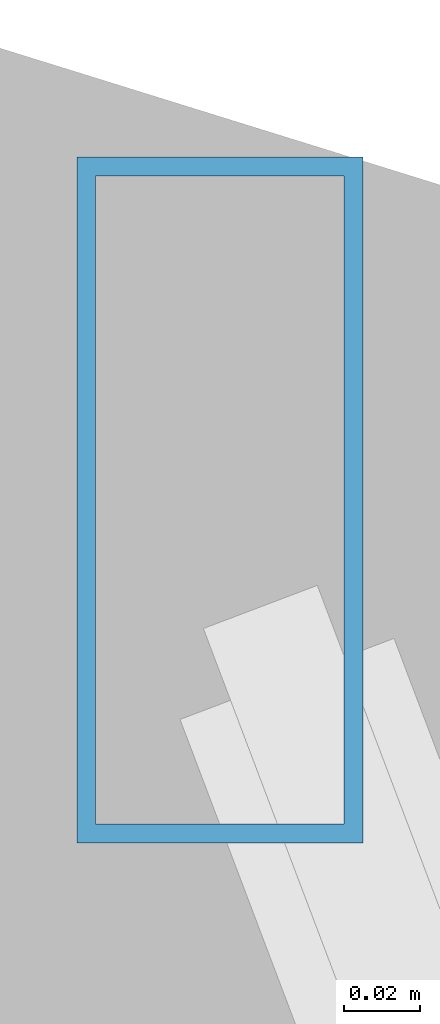
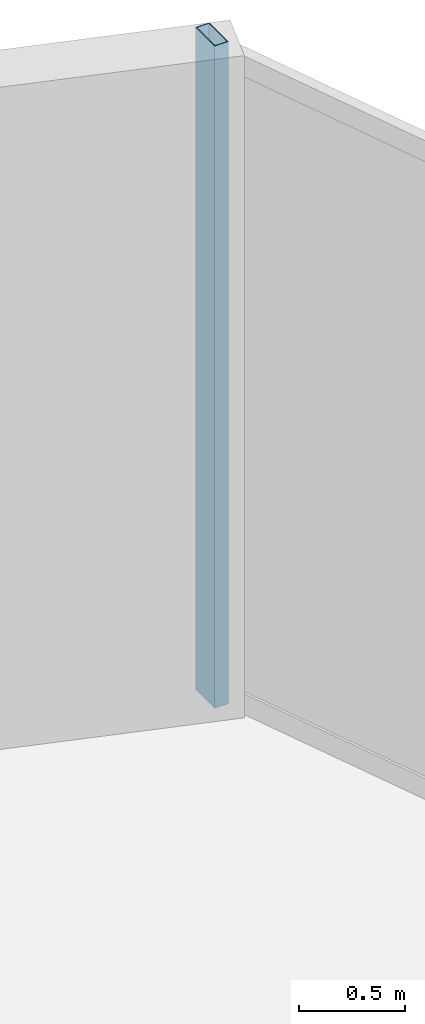
# One storey, part 22 of 30: 1 member, 1 element without a shape of its own.
"""IFC4 building model written with IfcOpenShell, lengths in metres."""

from ifc_helpers import new_model, si_unit, direction, frame, origin, origin_2d, place, context, subcontext, project, spatial, hollow_rectangle, extrude, material, layer, layer_set, material_profile, profile_set, type_object, element, aggregate, save


model = new_model("IFC4")

# Units and contexts
model_context = context("Model", 3, precision=1e-05, world=origin(), true_north=direction((0.0, 1.0)))
body_context = subcontext(model_context, "Body", "Model", "MODEL_VIEW")
ifc_project = project(units=[si_unit("LENGTHUNIT", "METRE"), si_unit("AREAUNIT", "SQUARE_METRE"), si_unit("VOLUMEUNIT", "CUBIC_METRE"), si_unit("PLANEANGLEUNIT", "RADIAN"), si_unit("MASSUNIT", "GRAM", prefix="KILO")], contexts=[model_context])

# Site, building, storey
site_placement = place(None, origin())
site = spatial("IfcSite", under=ifc_project, at=site_placement, CompositionType="ELEMENT")
building_placement = place(site_placement, origin())
building = spatial("IfcBuilding", under=site, at=building_placement, Name="Veymaron Broadcast Tower", CompositionType="ELEMENT")
storey_placement = place(building_placement, frame((0.0, 0.0, 37.800048828125)))
storey = spatial("IfcBuildingStorey", under=building, at=storey_placement, Name="L07", CompositionType="ELEMENT", Elevation=37.800048828125)

# Curtain wall, member
ifc_material_1 = material(Name="Anodised aluminium AA 6063-T6 and laminated low-E dark glass", Category="aluminium")
ifc_layer = layer(ifc_material_1, 0.179931640625)
ifc_layer_set = layer_set([ifc_layer], Name="Anodised aluminium AA 6063-T6 and laminated low-E dark glass")
curtain_wall_type = type_object("IfcCurtainWallType", Name="CW-SYS-02", PredefinedType="NOTDEFINED", material=ifc_layer_set)
curtain_wall_placement = place(storey_placement, origin())
curtain_wall = element("IfcCurtainWall", 1, at=curtain_wall_placement, inside=storey, type_object=curtain_wall_type, Name="L07 dark-glass curtain wall CW-L07-E5-1", PredefinedType="NOTDEFINED")
ifc_material_2 = material(Name="Anodised aluminium AA 6063-T6", Category="aluminium")
ifc_material_profile = material_profile(ifc_material_2, hollow_rectangle(XDim=0.074951171875, YDim=0.179931640625, WallThickness=0.0048828125, at=origin_2d()), Name="AL180X75X5")
ifc_profile_set = profile_set([ifc_material_profile], Name="Anodised aluminium AA 6063-T6")
member_type = type_object("IfcMemberType", Name="CW-MUL-02", PredefinedType="MULLION", material=ifc_profile_set)
member_placement = place(storey_placement, frame((41.663818359375, 44.364501953125, 0.0), z_axis=(0.0, 0.0, 1.0), x_axis=(1.0, 0.0, 0.0)))
member = element("IfcMember", 2, at=member_placement, type_object=member_type, Name="CW-L07-E5-1 mullion 2", PredefinedType="MULLION", context=body_context, shape_type="SweptSolid", body=[
    extrude(hollow_rectangle(XDim=0.074951171875, YDim=0.179931640625, WallThickness=0.0048828125, at=origin_2d()), origin(), (0.0, 0.0, 1.0), 3.81005859375),
])
aggregate(curtain_wall, [member])

save(model, "model.ifc")
